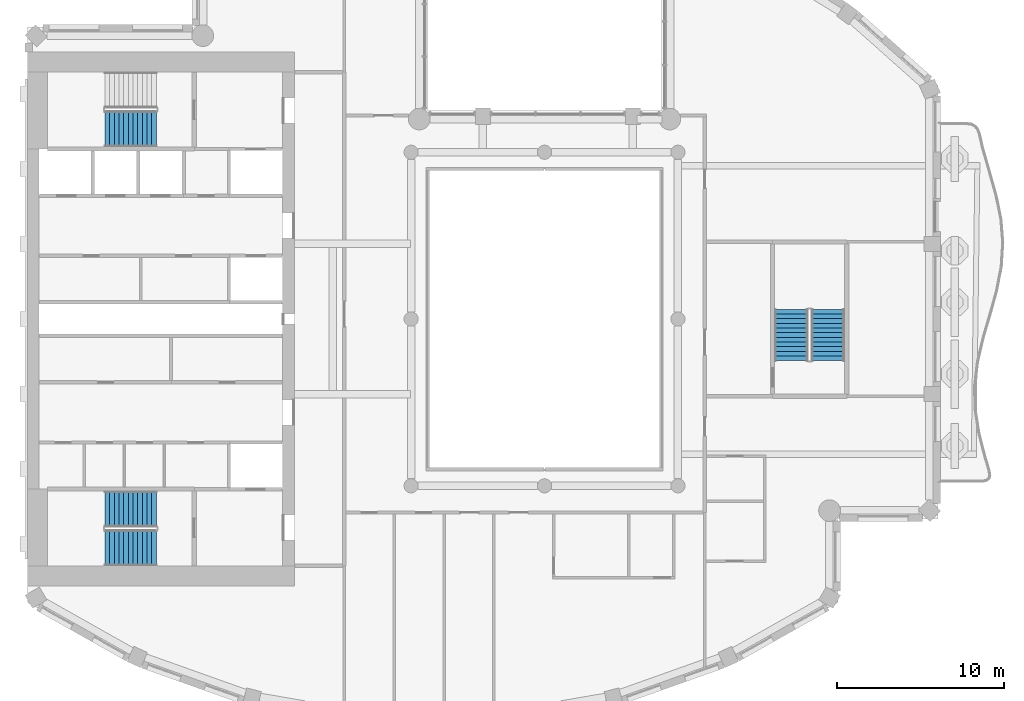
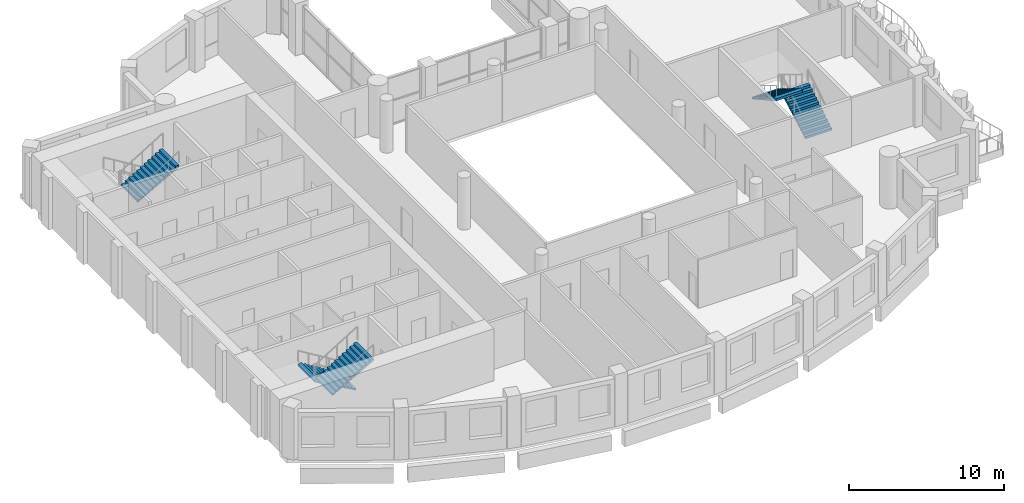
# One storey, part 8 of 14: 5 stair flights, 3 elements without a shape of their own.
"""IFC4 building model written with IfcOpenShell, lengths in metres."""

from ifc_helpers import new_model, si_unit, direction, frame, origin, place, context, subcontext, project, spatial, triangles, material, type_object, element, aggregate, save


model = new_model("IFC4")

# Units and contexts
model_context = context("Model", 3, precision=1e-05, world=origin(), true_north=direction((0.0, 1.0)))
body_context = subcontext(model_context, "Body", "Model", "MODEL_VIEW")
ifc_project = project(units=[si_unit("LENGTHUNIT", "METRE"), si_unit("AREAUNIT", "SQUARE_METRE"), si_unit("VOLUMEUNIT", "CUBIC_METRE"), si_unit("PLANEANGLEUNIT", "RADIAN"), si_unit("MASSUNIT", "GRAM", prefix="KILO")], contexts=[model_context])

# Site, building, storey
site_placement = place(None, origin())
site = spatial("IfcSite", under=ifc_project, at=site_placement, CompositionType="ELEMENT")
building_placement = place(site_placement, origin())
building = spatial("IfcBuilding", under=site, at=building_placement, Name="Cypress Arch Tower", CompositionType="ELEMENT")
storey_placement = place(building_placement, frame((0.0, 0.0, 251.60009765625)))
storey = spatial("IfcBuildingStorey", under=building, at=storey_placement, Name="L56", CompositionType="ELEMENT", Elevation=251.60009765625)

# Stair, stair flights
ifc_material_1 = material(Name="Concrete C40/50", Category="concrete")
stair_type_1 = type_object("IfcStairType", Name="Exit stair ES1708-200", PredefinedType="HALF_TURN_STAIR", material=ifc_material_1)
stair_1_placement = place(storey_placement, origin())
stair_1 = element("IfcStair", 1, at=stair_1_placement, inside=storey, type_object=stair_type_1, Name="L56 Exit stair C", PredefinedType="HALF_TURN_STAIR")
ifc_material_2 = material(Name="Concrete C40/50", Category="concrete")
stair_flight_type_1 = type_object("IfcStairFlightType", Name="Exit stair flight ES1708-200", PredefinedType="STRAIGHT", material=ifc_material_2)
stair_flight_1_placement = place(storey_placement, frame((18.0, -2.5, 0.0), z_axis=(0.0, 0.0, 1.0), x_axis=(0.0, 1.0, 0.0)))
stair_flight_1 = element("IfcStairFlight", 2, at=stair_flight_1_placement, type_object=stair_flight_type_1, Name="C flight 1", NumberOfRisers=12, NumberOfTreads=11, PredefinedType="STRAIGHT", RiserHeight=0.170833333, TreadLength=0.28, context=body_context, shape_type="Tessellation", body=[
    triangles([(0.0, -1.0, 0.0), (0.0, -1.0, 0.1708984375), (0.280029296875, -1.0, 0.1708984375), (0.280029296875, -1.0, 0.341552734375), (0.56005859375, -1.0, 0.341552734375), (0.56005859375, -1.0, 0.512451171875), (0.840087890625, -1.0, 0.512451171875), (0.840087890625, -1.0, 0.683349609375), (1.1201171875, -1.0, 0.683349609375), (1.1201171875, -1.0, 0.854248046875), (1.39990234375, -1.0, 0.854248046875), (1.39990234375, -1.0, 1.02490234375), (1.679931640625, -1.0, 1.02490234375), (1.679931640625, -1.0, 1.19580078125), (1.9599609375, -1.0, 1.19580078125), (1.9599609375, -1.0, 1.36669921875), (2.239990234375, -1.0, 1.36669921875), (2.239990234375, -1.0, 1.53759765625), (2.52001953125, -1.0, 1.53759765625), (2.52001953125, -1.0, 1.708251953125), (2.800048828125, -1.0, 1.708251953125), (2.800048828125, -1.0, 1.879150390625), (3.080078125, -1.0, 1.879150390625), (3.080078125, -1.0, 1.70361328125), (3.080078125, 1.0, 1.70361328125), (3.080078125, 1.0, 1.879150390625), (2.800048828125, 1.0, 1.879150390625), (2.800048828125, 1.0, 1.708251953125), (2.52001953125, 1.0, 1.708251953125), (2.52001953125, 1.0, 1.53759765625), (2.239990234375, 1.0, 1.53759765625), (2.239990234375, 1.0, 1.36669921875), (1.9599609375, 1.0, 1.36669921875), (1.9599609375, 1.0, 1.19580078125), (1.679931640625, 1.0, 1.19580078125), (1.679931640625, 1.0, 1.02490234375), (1.39990234375, 1.0, 1.02490234375), (1.39990234375, 1.0, 0.854248046875), (1.1201171875, 1.0, 0.854248046875), (1.1201171875, 1.0, 0.683349609375), (0.840087890625, 1.0, 0.683349609375), (0.840087890625, 1.0, 0.512451171875), (0.56005859375, 1.0, 0.512451171875), (0.56005859375, 1.0, 0.341552734375), (0.280029296875, 1.0, 0.341552734375), (0.280029296875, 1.0, 0.1708984375), (0.0, 1.0, 0.1708984375), (0.0, 1.0, 0.0), (3.080078125, 0.0, 1.879150390625), (3.080078125, 0.0, 1.70361328125), (2.800048828125, 0.0, 1.879150390625), (2.800048828125, 0.0, 1.708251953125), (2.52001953125, 0.0, 1.708251953125), (2.52001953125, 0.0, 1.53759765625), (2.239990234375, 0.0, 1.53759765625), (2.239990234375, 0.0, 1.36669921875), (1.9599609375, 0.0, 1.36669921875), (1.9599609375, 0.0, 1.19580078125), (1.679931640625, 0.0, 1.19580078125), (1.679931640625, 0.0, 1.02490234375), (1.39990234375, 0.0, 1.02490234375), (1.39990234375, 0.0, 0.854248046875), (1.1201171875, 0.0, 0.854248046875), (1.1201171875, 0.0, 0.683349609375), (0.840087890625, 0.0, 0.683349609375), (0.840087890625, 0.0, 0.512451171875), (0.56005859375, 0.0, 0.512451171875), (0.56005859375, 0.0, 0.341552734375), (0.280029296875, 0.0, 0.341552734375), (0.280029296875, 0.0, 0.1708984375), (0.0, 0.0, 0.1708984375), (0.0, 0.0, 0.0)], [[24, 23, 22], [11, 10, 9], [19, 18, 17], [17, 16, 15], [15, 14, 13], [9, 8, 7], [7, 6, 5], [3, 2, 1], [21, 20, 19], [13, 12, 11], [5, 4, 3], [24, 22, 21], [24, 21, 19], [24, 19, 17], [24, 17, 15], [24, 15, 13], [24, 13, 11], [24, 11, 9], [24, 9, 7], [24, 7, 5], [1, 24, 5], [5, 3, 1], [25, 27, 26], [38, 40, 39], [30, 32, 31], [32, 34, 33], [34, 36, 35], [40, 42, 41], [42, 44, 43], [46, 48, 47], [28, 30, 29], [36, 38, 37], [44, 46, 45], [25, 28, 27], [25, 30, 28], [25, 32, 30], [25, 34, 32], [25, 36, 34], [25, 38, 36], [25, 40, 38], [25, 42, 40], [25, 44, 42], [48, 44, 25], [44, 48, 46], [50, 49, 23], [50, 23, 24], [25, 26, 49], [25, 49, 50], [49, 51, 22], [49, 22, 23], [26, 27, 51], [26, 51, 49], [51, 52, 21], [51, 21, 22], [27, 28, 52], [27, 52, 51], [52, 53, 20], [52, 20, 21], [28, 29, 53], [28, 53, 52], [53, 54, 19], [53, 19, 20], [29, 30, 54], [29, 54, 53], [54, 55, 18], [54, 18, 19], [30, 31, 55], [30, 55, 54], [55, 56, 17], [55, 17, 18], [31, 32, 56], [31, 56, 55], [56, 57, 16], [56, 16, 17], [32, 33, 57], [32, 57, 56], [57, 58, 15], [57, 15, 16], [33, 34, 58], [33, 58, 57], [58, 59, 14], [58, 14, 15], [34, 35, 59], [34, 59, 58], [59, 60, 13], [59, 13, 14], [35, 36, 60], [35, 60, 59], [60, 61, 12], [60, 12, 13], [36, 37, 61], [36, 61, 60], [61, 62, 11], [61, 11, 12], [37, 38, 62], [37, 62, 61], [62, 63, 10], [62, 10, 11], [38, 39, 63], [38, 63, 62], [63, 64, 9], [63, 9, 10], [39, 40, 64], [39, 64, 63], [64, 65, 8], [64, 8, 9], [40, 41, 65], [40, 65, 64], [65, 66, 7], [65, 7, 8], [41, 42, 66], [41, 66, 65], [66, 67, 6], [66, 6, 7], [42, 43, 67], [42, 67, 66], [67, 68, 5], [67, 5, 6], [43, 44, 68], [43, 68, 67], [68, 69, 4], [68, 4, 5], [44, 45, 69], [44, 69, 68], [69, 70, 3], [69, 3, 4], [45, 46, 70], [45, 70, 69], [70, 71, 2], [70, 2, 3], [46, 47, 71], [46, 71, 70], [71, 72, 1], [71, 1, 2], [47, 48, 72], [47, 72, 71], [72, 50, 24], [72, 24, 1], [48, 25, 50], [48, 50, 72]], closed=True),
])
stair_flight_2_placement = place(storey_placement, frame((15.800048828125, 0.580078125, 2.0498046875), z_axis=(0.0, 0.0, 1.0), x_axis=(0.0, -1.0, 0.0)))
stair_flight_2 = element("IfcStairFlight", 3, at=stair_flight_2_placement, type_object=stair_flight_type_1, Name="C flight 2", NumberOfRisers=12, NumberOfTreads=11, PredefinedType="STRAIGHT", RiserHeight=0.170833333, TreadLength=0.28, context=body_context, shape_type="Tessellation", body=[
    triangles([(0.0, -1.0, 0.0), (0.0, -1.0, 0.1708984375), (0.280029296875, -1.0, 0.1708984375), (0.280029296875, -1.0, 0.341552734375), (0.56005859375, -1.0, 0.341552734375), (0.56005859375, -1.0, 0.512451171875), (0.840087890625, -1.0, 0.512451171875), (0.840087890625, -1.0, 0.683349609375), (1.1201171875, -1.0, 0.683349609375), (1.1201171875, -1.0, 0.854248046875), (1.39990234375, -1.0, 0.854248046875), (1.39990234375, -1.0, 1.02490234375), (1.679931640625, -1.0, 1.02490234375), (1.679931640625, -1.0, 1.19580078125), (1.9599609375, -1.0, 1.19580078125), (1.9599609375, -1.0, 1.36669921875), (2.239990234375, -1.0, 1.36669921875), (2.239990234375, -1.0, 1.53759765625), (2.52001953125, -1.0, 1.53759765625), (2.52001953125, -1.0, 1.708251953125), (2.800048828125, -1.0, 1.708251953125), (2.800048828125, -1.0, 1.879150390625), (3.080078125, -1.0, 1.879150390625), (3.080078125, -1.0, 1.70361328125), (3.080078125, 1.0, 1.70361328125), (3.080078125, 1.0, 1.879150390625), (2.800048828125, 1.0, 1.879150390625), (2.800048828125, 1.0, 1.708251953125), (2.52001953125, 1.0, 1.708251953125), (2.52001953125, 1.0, 1.53759765625), (2.239990234375, 1.0, 1.53759765625), (2.239990234375, 1.0, 1.36669921875), (1.9599609375, 1.0, 1.36669921875), (1.9599609375, 1.0, 1.19580078125), (1.679931640625, 1.0, 1.19580078125), (1.679931640625, 1.0, 1.02490234375), (1.39990234375, 1.0, 1.02490234375), (1.39990234375, 1.0, 0.854248046875), (1.1201171875, 1.0, 0.854248046875), (1.1201171875, 1.0, 0.683349609375), (0.840087890625, 1.0, 0.683349609375), (0.840087890625, 1.0, 0.512451171875), (0.56005859375, 1.0, 0.512451171875), (0.56005859375, 1.0, 0.341552734375), (0.280029296875, 1.0, 0.341552734375), (0.280029296875, 1.0, 0.1708984375), (0.0, 1.0, 0.1708984375), (0.0, 1.0, 0.0), (3.080078125, 0.0, 1.879150390625), (3.080078125, 0.0, 1.70361328125), (2.800048828125, 0.0, 1.879150390625), (2.800048828125, 0.0, 1.708251953125), (2.52001953125, 0.0, 1.708251953125), (2.52001953125, 0.0, 1.53759765625), (2.239990234375, 0.0, 1.53759765625), (2.239990234375, 0.0, 1.36669921875), (1.9599609375, 0.0, 1.36669921875), (1.9599609375, 0.0, 1.19580078125), (1.679931640625, 0.0, 1.19580078125), (1.679931640625, 0.0, 1.02490234375), (1.39990234375, 0.0, 1.02490234375), (1.39990234375, 0.0, 0.854248046875), (1.1201171875, 0.0, 0.854248046875), (1.1201171875, 0.0, 0.683349609375), (0.840087890625, 0.0, 0.683349609375), (0.840087890625, 0.0, 0.512451171875), (0.56005859375, 0.0, 0.512451171875), (0.56005859375, 0.0, 0.341552734375), (0.280029296875, 0.0, 0.341552734375), (0.280029296875, 0.0, 0.1708984375), (0.0, 0.0, 0.1708984375), (0.0, 0.0, 0.0)], [[24, 23, 22], [11, 10, 9], [19, 18, 17], [17, 16, 15], [15, 14, 13], [9, 8, 7], [7, 6, 5], [3, 2, 1], [21, 20, 19], [13, 12, 11], [5, 4, 3], [24, 22, 21], [24, 21, 19], [24, 19, 17], [24, 17, 15], [24, 15, 13], [24, 13, 11], [24, 11, 9], [24, 9, 7], [24, 7, 5], [1, 24, 5], [5, 3, 1], [25, 27, 26], [38, 40, 39], [30, 32, 31], [32, 34, 33], [34, 36, 35], [40, 42, 41], [42, 44, 43], [46, 48, 47], [28, 30, 29], [36, 38, 37], [44, 46, 45], [25, 28, 27], [25, 30, 28], [25, 32, 30], [25, 34, 32], [25, 36, 34], [25, 38, 36], [25, 40, 38], [25, 42, 40], [25, 44, 42], [48, 44, 25], [44, 48, 46], [50, 49, 23], [50, 23, 24], [25, 26, 49], [25, 49, 50], [49, 51, 22], [49, 22, 23], [26, 27, 51], [26, 51, 49], [51, 52, 21], [51, 21, 22], [27, 28, 52], [27, 52, 51], [52, 53, 20], [52, 20, 21], [28, 29, 53], [28, 53, 52], [53, 54, 19], [53, 19, 20], [29, 30, 54], [29, 54, 53], [54, 55, 18], [54, 18, 19], [30, 31, 55], [30, 55, 54], [55, 56, 17], [55, 17, 18], [31, 32, 56], [31, 56, 55], [56, 57, 16], [56, 16, 17], [32, 33, 57], [32, 57, 56], [57, 58, 15], [57, 15, 16], [33, 34, 58], [33, 58, 57], [58, 59, 14], [58, 14, 15], [34, 35, 59], [34, 59, 58], [59, 60, 13], [59, 13, 14], [35, 36, 60], [35, 60, 59], [60, 61, 12], [60, 12, 13], [36, 37, 61], [36, 61, 60], [61, 62, 11], [61, 11, 12], [37, 38, 62], [37, 62, 61], [62, 63, 10], [62, 10, 11], [38, 39, 63], [38, 63, 62], [63, 64, 9], [63, 9, 10], [39, 40, 64], [39, 64, 63], [64, 65, 8], [64, 8, 9], [40, 41, 65], [40, 65, 64], [65, 66, 7], [65, 7, 8], [41, 42, 66], [41, 66, 65], [66, 67, 6], [66, 6, 7], [42, 43, 67], [42, 67, 66], [67, 68, 5], [67, 5, 6], [43, 44, 68], [43, 68, 67], [68, 69, 4], [68, 4, 5], [44, 45, 69], [44, 69, 68], [69, 70, 3], [69, 3, 4], [45, 46, 70], [45, 70, 69], [70, 71, 2], [70, 2, 3], [46, 47, 71], [46, 71, 70], [71, 72, 1], [71, 1, 2], [47, 48, 72], [47, 72, 71], [72, 50, 24], [72, 24, 1], [48, 25, 50], [48, 50, 72]], closed=True),
])
aggregate(stair_1, [stair_flight_1, stair_flight_2])

ifc_material_3 = material(Name="Concrete C40/50", Category="concrete")
stair_type_2 = type_object("IfcStairType", Name="Exit stair ES1708-215", PredefinedType="HALF_TURN_STAIR", material=ifc_material_3)
stair_2_placement = place(storey_placement, origin())
stair_2 = element("IfcStair", 4, at=stair_2_placement, inside=storey, type_object=stair_type_2, Name="L56 Exit stair A", PredefinedType="HALF_TURN_STAIR")
ifc_material_4 = material(Name="Concrete C40/50", Category="concrete")
stair_flight_type_2 = type_object("IfcStairFlightType", Name="Exit stair flight ES1708-215", PredefinedType="STRAIGHT", material=ifc_material_4)
stair_flight_3_placement = place(storey_placement, frame((-22.27490234375, -11.39990234375, 0.0), z_axis=(0.0, 0.0, 1.0), x_axis=(-1.0, 0.0, 0.0)))
stair_flight_3 = element("IfcStairFlight", 5, at=stair_flight_3_placement, type_object=stair_flight_type_2, Name="A flight 1", NumberOfRisers=12, NumberOfTreads=11, PredefinedType="STRAIGHT", RiserHeight=0.170833333, TreadLength=0.28, context=body_context, shape_type="Tessellation", body=[
    triangles([(0.0, -1.074951171875, 0.0), (0.000244140625, -1.074951171875, 0.01904296875), (0.000244140625, -1.074951171875, 0.0380859375), (0.00048828125, -1.074951171875, 0.056884765625), (0.00048828125, -1.074951171875, 0.075927734375), (0.00048828125, -1.074951171875, 0.094970703125), (0.00048828125, -1.074951171875, 0.114013671875), (0.000244140625, -1.074951171875, 0.1328125), (0.000244140625, -1.074951171875, 0.15185546875), (0.0, -1.074951171875, 0.1708984375), (0.280029296875, -1.074951171875, 0.1708984375), (0.280029296875, -1.074951171875, 0.341552734375), (0.56005859375, -1.074951171875, 0.341552734375), (0.56005859375, -1.074951171875, 0.512451171875), (0.840087890625, -1.074951171875, 0.512451171875), (0.840087890625, -1.074951171875, 0.683349609375), (1.1201171875, -1.074951171875, 0.683349609375), (1.1201171875, -1.074951171875, 0.854248046875), (1.39990234375, -1.074951171875, 0.854248046875), (1.39990234375, -1.074951171875, 1.02490234375), (1.679931640625, -1.074951171875, 1.02490234375), (1.679931640625, -1.074951171875, 1.19580078125), (1.9599609375, -1.074951171875, 1.19580078125), (1.9599609375, -1.074951171875, 1.36669921875), (2.239990234375, -1.074951171875, 1.36669921875), (2.239990234375, -1.074951171875, 1.53759765625), (2.52001953125, -1.074951171875, 1.53759765625), (2.52001953125, -1.074951171875, 1.708251953125), (2.800048828125, -1.074951171875, 1.708251953125), (2.800048828125, -1.074951171875, 1.879150390625), (3.080078125, -1.074951171875, 1.879150390625), (3.079833984375, -1.074951171875, 1.859619140625), (3.079833984375, -1.074951171875, 1.840087890625), (3.07958984375, -1.074951171875, 1.820556640625), (3.07958984375, -1.074951171875, 1.801025390625), (3.07958984375, -1.074951171875, 1.78173828125), (3.07958984375, -1.074951171875, 1.76220703125), (3.079833984375, -1.074951171875, 1.74267578125), (3.079833984375, -1.074951171875, 1.72314453125), (3.080078125, -1.074951171875, 1.70361328125), (3.080078125, 1.074951171875, 1.70361328125), (3.079833984375, 1.074951171875, 1.72314453125), (3.079833984375, 1.074951171875, 1.74267578125), (3.07958984375, 1.074951171875, 1.76220703125), (3.07958984375, 1.074951171875, 1.78173828125), (3.07958984375, 1.074951171875, 1.801025390625), (3.07958984375, 1.074951171875, 1.820556640625), (3.079833984375, 1.074951171875, 1.840087890625), (3.079833984375, 1.074951171875, 1.859619140625), (3.080078125, 1.074951171875, 1.879150390625), (2.800048828125, 1.074951171875, 1.879150390625), (2.800048828125, 1.074951171875, 1.708251953125), (2.52001953125, 1.074951171875, 1.708251953125), (2.52001953125, 1.074951171875, 1.53759765625), (2.239990234375, 1.074951171875, 1.53759765625), (2.239990234375, 1.074951171875, 1.36669921875), (1.9599609375, 1.074951171875, 1.36669921875), (1.9599609375, 1.074951171875, 1.19580078125), (1.679931640625, 1.074951171875, 1.19580078125), (1.679931640625, 1.074951171875, 1.02490234375), (1.39990234375, 1.074951171875, 1.02490234375), (1.39990234375, 1.074951171875, 0.854248046875), (1.1201171875, 1.074951171875, 0.854248046875), (1.1201171875, 1.074951171875, 0.683349609375), (0.840087890625, 1.074951171875, 0.683349609375), (0.840087890625, 1.074951171875, 0.512451171875), (0.56005859375, 1.074951171875, 0.512451171875), (0.56005859375, 1.074951171875, 0.341552734375), (0.280029296875, 1.074951171875, 0.341552734375), (0.280029296875, 1.074951171875, 0.1708984375), (0.0, 1.074951171875, 0.1708984375), (0.000244140625, 1.074951171875, 0.15185546875), (0.000244140625, 1.074951171875, 0.1328125), (0.00048828125, 1.074951171875, 0.114013671875), (0.00048828125, 1.074951171875, 0.094970703125), (0.00048828125, 1.074951171875, 0.075927734375), (0.00048828125, 1.074951171875, 0.056884765625), (0.000244140625, 1.074951171875, 0.0380859375), (0.000244140625, 1.074951171875, 0.01904296875), (0.0, 1.074951171875, 0.0)], [[40, 39, 30], [39, 38, 30], [38, 37, 30], [37, 36, 30], [36, 35, 30], [35, 34, 30], [34, 33, 30], [33, 32, 30], [32, 31, 30], [19, 18, 17], [27, 26, 25], [25, 24, 23], [23, 22, 21], [17, 16, 15], [15, 14, 13], [10, 9, 11], [9, 8, 11], [8, 7, 11], [7, 6, 11], [6, 5, 11], [5, 4, 11], [4, 3, 11], [3, 2, 11], [2, 1, 11], [29, 28, 27], [21, 20, 19], [13, 12, 11], [40, 30, 29], [40, 29, 27], [40, 27, 25], [40, 25, 23], [40, 23, 21], [40, 21, 19], [40, 19, 17], [40, 17, 15], [40, 15, 13], [1, 40, 13], [13, 11, 1], [41, 51, 42], [42, 51, 43], [43, 51, 44], [44, 51, 45], [45, 51, 46], [46, 51, 47], [47, 51, 48], [48, 51, 49], [49, 51, 50], [62, 64, 63], [54, 56, 55], [56, 58, 57], [58, 60, 59], [64, 66, 65], [66, 68, 67], [71, 70, 72], [72, 70, 73], [73, 70, 74], [74, 70, 75], [75, 70, 76], [76, 70, 77], [77, 70, 78], [78, 70, 79], [79, 70, 80], [52, 54, 53], [60, 62, 61], [68, 70, 69], [41, 52, 51], [41, 54, 52], [41, 56, 54], [41, 58, 56], [41, 60, 58], [41, 62, 60], [41, 64, 62], [41, 66, 64], [41, 68, 66], [80, 68, 41], [68, 80, 70], [41, 42, 39], [41, 39, 40], [42, 43, 38], [42, 38, 39], [43, 44, 37], [43, 37, 38], [44, 45, 36], [44, 36, 37], [45, 46, 35], [45, 35, 36], [46, 47, 34], [46, 34, 35], [47, 48, 33], [47, 33, 34], [48, 49, 32], [48, 32, 33], [49, 50, 31], [49, 31, 32], [50, 51, 30], [50, 30, 31], [51, 52, 29], [51, 29, 30], [52, 53, 28], [52, 28, 29], [53, 54, 27], [53, 27, 28], [54, 55, 26], [54, 26, 27], [55, 56, 25], [55, 25, 26], [56, 57, 24], [56, 24, 25], [57, 58, 23], [57, 23, 24], [58, 59, 22], [58, 22, 23], [59, 60, 21], [59, 21, 22], [60, 61, 20], [60, 20, 21], [61, 62, 19], [61, 19, 20], [62, 63, 18], [62, 18, 19], [63, 64, 17], [63, 17, 18], [64, 65, 16], [64, 16, 17], [65, 66, 15], [65, 15, 16], [66, 67, 14], [66, 14, 15], [67, 68, 13], [67, 13, 14], [68, 69, 12], [68, 12, 13], [69, 70, 11], [69, 11, 12], [70, 71, 10], [70, 10, 11], [71, 72, 9], [71, 9, 10], [72, 73, 8], [72, 8, 9], [73, 74, 7], [73, 7, 8], [74, 75, 6], [74, 6, 7], [75, 76, 5], [75, 5, 6], [76, 77, 4], [76, 4, 5], [77, 78, 3], [77, 3, 4], [78, 79, 2], [78, 2, 3], [79, 80, 1], [79, 1, 2], [80, 41, 40], [80, 40, 1]], closed=True),
])
stair_flight_4_placement = place(storey_placement, frame((-25.35498046875, -13.72509765625, 2.0498046875), z_axis=(0.0, 0.0, 1.0), x_axis=(1.0, 0.0, 0.0)))
stair_flight_4 = element("IfcStairFlight", 6, at=stair_flight_4_placement, type_object=stair_flight_type_2, Name="A flight 2", NumberOfRisers=12, NumberOfTreads=11, PredefinedType="STRAIGHT", RiserHeight=0.170833333, TreadLength=0.28, context=body_context, shape_type="Tessellation", body=[
    triangles([(0.0, -1.074951171875, 0.0), (0.000244140625, -1.074951171875, 0.01904296875), (0.000244140625, -1.074951171875, 0.0380859375), (0.00048828125, -1.074951171875, 0.056884765625), (0.00048828125, -1.074951171875, 0.075927734375), (0.00048828125, -1.074951171875, 0.094970703125), (0.00048828125, -1.074951171875, 0.114013671875), (0.000244140625, -1.074951171875, 0.1328125), (0.000244140625, -1.074951171875, 0.15185546875), (0.0, -1.074951171875, 0.1708984375), (0.280029296875, -1.074951171875, 0.1708984375), (0.280029296875, -1.074951171875, 0.341552734375), (0.56005859375, -1.074951171875, 0.341552734375), (0.56005859375, -1.074951171875, 0.512451171875), (0.840087890625, -1.074951171875, 0.512451171875), (0.840087890625, -1.074951171875, 0.683349609375), (1.1201171875, -1.074951171875, 0.683349609375), (1.1201171875, -1.074951171875, 0.854248046875), (1.39990234375, -1.074951171875, 0.854248046875), (1.39990234375, -1.074951171875, 1.02490234375), (1.679931640625, -1.074951171875, 1.02490234375), (1.679931640625, -1.074951171875, 1.19580078125), (1.9599609375, -1.074951171875, 1.19580078125), (1.9599609375, -1.074951171875, 1.36669921875), (2.239990234375, -1.074951171875, 1.36669921875), (2.239990234375, -1.074951171875, 1.53759765625), (2.52001953125, -1.074951171875, 1.53759765625), (2.52001953125, -1.074951171875, 1.708251953125), (2.800048828125, -1.074951171875, 1.708251953125), (2.800048828125, -1.074951171875, 1.879150390625), (3.080078125, -1.074951171875, 1.879150390625), (3.079833984375, -1.074951171875, 1.859619140625), (3.079833984375, -1.074951171875, 1.840087890625), (3.07958984375, -1.074951171875, 1.820556640625), (3.07958984375, -1.074951171875, 1.801025390625), (3.07958984375, -1.074951171875, 1.78173828125), (3.07958984375, -1.074951171875, 1.76220703125), (3.079833984375, -1.074951171875, 1.74267578125), (3.079833984375, -1.074951171875, 1.72314453125), (3.080078125, -1.074951171875, 1.70361328125), (3.080078125, 1.074951171875, 1.70361328125), (3.079833984375, 1.074951171875, 1.72314453125), (3.079833984375, 1.074951171875, 1.74267578125), (3.07958984375, 1.074951171875, 1.76220703125), (3.07958984375, 1.074951171875, 1.78173828125), (3.07958984375, 1.074951171875, 1.801025390625), (3.07958984375, 1.074951171875, 1.820556640625), (3.079833984375, 1.074951171875, 1.840087890625), (3.079833984375, 1.074951171875, 1.859619140625), (3.080078125, 1.074951171875, 1.879150390625), (2.800048828125, 1.074951171875, 1.879150390625), (2.800048828125, 1.074951171875, 1.708251953125), (2.52001953125, 1.074951171875, 1.708251953125), (2.52001953125, 1.074951171875, 1.53759765625), (2.239990234375, 1.074951171875, 1.53759765625), (2.239990234375, 1.074951171875, 1.36669921875), (1.9599609375, 1.074951171875, 1.36669921875), (1.9599609375, 1.074951171875, 1.19580078125), (1.679931640625, 1.074951171875, 1.19580078125), (1.679931640625, 1.074951171875, 1.02490234375), (1.39990234375, 1.074951171875, 1.02490234375), (1.39990234375, 1.074951171875, 0.854248046875), (1.1201171875, 1.074951171875, 0.854248046875), (1.1201171875, 1.074951171875, 0.683349609375), (0.840087890625, 1.074951171875, 0.683349609375), (0.840087890625, 1.074951171875, 0.512451171875), (0.56005859375, 1.074951171875, 0.512451171875), (0.56005859375, 1.074951171875, 0.341552734375), (0.280029296875, 1.074951171875, 0.341552734375), (0.280029296875, 1.074951171875, 0.1708984375), (0.0, 1.074951171875, 0.1708984375), (0.000244140625, 1.074951171875, 0.15185546875), (0.000244140625, 1.074951171875, 0.1328125), (0.00048828125, 1.074951171875, 0.114013671875), (0.00048828125, 1.074951171875, 0.094970703125), (0.00048828125, 1.074951171875, 0.075927734375), (0.00048828125, 1.074951171875, 0.056884765625), (0.000244140625, 1.074951171875, 0.0380859375), (0.000244140625, 1.074951171875, 0.01904296875), (0.0, 1.074951171875, 0.0)], [[40, 39, 30], [39, 38, 30], [38, 37, 30], [37, 36, 30], [36, 35, 30], [35, 34, 30], [34, 33, 30], [33, 32, 30], [32, 31, 30], [19, 18, 17], [27, 26, 25], [25, 24, 23], [23, 22, 21], [17, 16, 15], [15, 14, 13], [10, 9, 11], [9, 8, 11], [8, 7, 11], [7, 6, 11], [6, 5, 11], [5, 4, 11], [4, 3, 11], [3, 2, 11], [2, 1, 11], [29, 28, 27], [21, 20, 19], [13, 12, 11], [40, 30, 29], [40, 29, 27], [40, 27, 25], [40, 25, 23], [40, 23, 21], [40, 21, 19], [40, 19, 17], [40, 17, 15], [40, 15, 13], [1, 40, 13], [13, 11, 1], [41, 51, 42], [42, 51, 43], [43, 51, 44], [44, 51, 45], [45, 51, 46], [46, 51, 47], [47, 51, 48], [48, 51, 49], [49, 51, 50], [62, 64, 63], [54, 56, 55], [56, 58, 57], [58, 60, 59], [64, 66, 65], [66, 68, 67], [71, 70, 72], [72, 70, 73], [73, 70, 74], [74, 70, 75], [75, 70, 76], [76, 70, 77], [77, 70, 78], [78, 70, 79], [79, 70, 80], [52, 54, 53], [60, 62, 61], [68, 70, 69], [41, 52, 51], [41, 54, 52], [41, 56, 54], [41, 58, 56], [41, 60, 58], [41, 62, 60], [41, 64, 62], [41, 66, 64], [41, 68, 66], [80, 68, 41], [68, 80, 70], [41, 42, 39], [41, 39, 40], [42, 43, 38], [42, 38, 39], [43, 44, 37], [43, 37, 38], [44, 45, 36], [44, 36, 37], [45, 46, 35], [45, 35, 36], [46, 47, 34], [46, 34, 35], [47, 48, 33], [47, 33, 34], [48, 49, 32], [48, 32, 33], [49, 50, 31], [49, 31, 32], [50, 51, 30], [50, 30, 31], [51, 52, 29], [51, 29, 30], [52, 53, 28], [52, 28, 29], [53, 54, 27], [53, 27, 28], [54, 55, 26], [54, 26, 27], [55, 56, 25], [55, 25, 26], [56, 57, 24], [56, 24, 25], [57, 58, 23], [57, 23, 24], [58, 59, 22], [58, 22, 23], [59, 60, 21], [59, 21, 22], [60, 61, 20], [60, 20, 21], [61, 62, 19], [61, 19, 20], [62, 63, 18], [62, 18, 19], [63, 64, 17], [63, 17, 18], [64, 65, 16], [64, 16, 17], [65, 66, 15], [65, 15, 16], [66, 67, 14], [66, 14, 15], [67, 68, 13], [67, 13, 14], [68, 69, 12], [68, 12, 13], [69, 70, 11], [69, 11, 12], [70, 71, 10], [70, 10, 11], [71, 72, 9], [71, 9, 10], [72, 73, 8], [72, 8, 9], [73, 74, 7], [73, 7, 8], [74, 75, 6], [74, 6, 7], [75, 76, 5], [75, 5, 6], [76, 77, 4], [76, 4, 5], [77, 78, 3], [77, 3, 4], [78, 79, 2], [78, 2, 3], [79, 80, 1], [79, 1, 2], [80, 41, 40], [80, 40, 1]], closed=True),
])
aggregate(stair_2, [stair_flight_3, stair_flight_4])

# Stair, stair flight
stair_3_placement = place(storey_placement, origin())
stair_3 = element("IfcStair", 7, at=stair_3_placement, inside=storey, type_object=stair_type_2, Name="L56 Exit stair B", PredefinedType="HALF_TURN_STAIR")
stair_flight_5_placement = place(storey_placement, frame((-25.35498046875, 11.39990234375, 2.0498046875), z_axis=(0.0, 0.0, 1.0), x_axis=(1.0, 0.0, 0.0)))
stair_flight_5 = element("IfcStairFlight", 8, at=stair_flight_5_placement, type_object=stair_flight_type_2, Name="B flight 2", NumberOfRisers=12, NumberOfTreads=11, PredefinedType="STRAIGHT", RiserHeight=0.170833333, TreadLength=0.28, context=body_context, shape_type="Tessellation", body=[
    triangles([(0.0, -1.074951171875, 0.0), (0.000244140625, -1.074951171875, 0.01904296875), (0.000244140625, -1.074951171875, 0.0380859375), (0.00048828125, -1.074951171875, 0.056884765625), (0.00048828125, -1.074951171875, 0.075927734375), (0.00048828125, -1.074951171875, 0.094970703125), (0.00048828125, -1.074951171875, 0.114013671875), (0.000244140625, -1.074951171875, 0.1328125), (0.000244140625, -1.074951171875, 0.15185546875), (0.0, -1.074951171875, 0.1708984375), (0.280029296875, -1.074951171875, 0.1708984375), (0.280029296875, -1.074951171875, 0.341552734375), (0.56005859375, -1.074951171875, 0.341552734375), (0.56005859375, -1.074951171875, 0.512451171875), (0.840087890625, -1.074951171875, 0.512451171875), (0.840087890625, -1.074951171875, 0.683349609375), (1.1201171875, -1.074951171875, 0.683349609375), (1.1201171875, -1.074951171875, 0.854248046875), (1.39990234375, -1.074951171875, 0.854248046875), (1.39990234375, -1.074951171875, 1.02490234375), (1.679931640625, -1.074951171875, 1.02490234375), (1.679931640625, -1.074951171875, 1.19580078125), (1.9599609375, -1.074951171875, 1.19580078125), (1.9599609375, -1.074951171875, 1.36669921875), (2.239990234375, -1.074951171875, 1.36669921875), (2.239990234375, -1.074951171875, 1.53759765625), (2.52001953125, -1.074951171875, 1.53759765625), (2.52001953125, -1.074951171875, 1.708251953125), (2.800048828125, -1.074951171875, 1.708251953125), (2.800048828125, -1.074951171875, 1.879150390625), (3.080078125, -1.074951171875, 1.879150390625), (3.079833984375, -1.074951171875, 1.859619140625), (3.079833984375, -1.074951171875, 1.840087890625), (3.07958984375, -1.074951171875, 1.820556640625), (3.07958984375, -1.074951171875, 1.801025390625), (3.07958984375, -1.074951171875, 1.78173828125), (3.07958984375, -1.074951171875, 1.76220703125), (3.079833984375, -1.074951171875, 1.74267578125), (3.079833984375, -1.074951171875, 1.72314453125), (3.080078125, -1.074951171875, 1.70361328125), (3.080078125, 1.074951171875, 1.70361328125), (3.079833984375, 1.074951171875, 1.72314453125), (3.079833984375, 1.074951171875, 1.74267578125), (3.07958984375, 1.074951171875, 1.76220703125), (3.07958984375, 1.074951171875, 1.78173828125), (3.07958984375, 1.074951171875, 1.801025390625), (3.07958984375, 1.074951171875, 1.820556640625), (3.079833984375, 1.074951171875, 1.840087890625), (3.079833984375, 1.074951171875, 1.859619140625), (3.080078125, 1.074951171875, 1.879150390625), (2.800048828125, 1.074951171875, 1.879150390625), (2.800048828125, 1.074951171875, 1.708251953125), (2.52001953125, 1.074951171875, 1.708251953125), (2.52001953125, 1.074951171875, 1.53759765625), (2.239990234375, 1.074951171875, 1.53759765625), (2.239990234375, 1.074951171875, 1.36669921875), (1.9599609375, 1.074951171875, 1.36669921875), (1.9599609375, 1.074951171875, 1.19580078125), (1.679931640625, 1.074951171875, 1.19580078125), (1.679931640625, 1.074951171875, 1.02490234375), (1.39990234375, 1.074951171875, 1.02490234375), (1.39990234375, 1.074951171875, 0.854248046875), (1.1201171875, 1.074951171875, 0.854248046875), (1.1201171875, 1.074951171875, 0.683349609375), (0.840087890625, 1.074951171875, 0.683349609375), (0.840087890625, 1.074951171875, 0.512451171875), (0.56005859375, 1.074951171875, 0.512451171875), (0.56005859375, 1.074951171875, 0.341552734375), (0.280029296875, 1.074951171875, 0.341552734375), (0.280029296875, 1.074951171875, 0.1708984375), (0.0, 1.074951171875, 0.1708984375), (0.000244140625, 1.074951171875, 0.15185546875), (0.000244140625, 1.074951171875, 0.1328125), (0.00048828125, 1.074951171875, 0.114013671875), (0.00048828125, 1.074951171875, 0.094970703125), (0.00048828125, 1.074951171875, 0.075927734375), (0.00048828125, 1.074951171875, 0.056884765625), (0.000244140625, 1.074951171875, 0.0380859375), (0.000244140625, 1.074951171875, 0.01904296875), (0.0, 1.074951171875, 0.0)], [[40, 39, 30], [39, 38, 30], [38, 37, 30], [37, 36, 30], [36, 35, 30], [35, 34, 30], [34, 33, 30], [33, 32, 30], [32, 31, 30], [19, 18, 17], [27, 26, 25], [25, 24, 23], [23, 22, 21], [17, 16, 15], [15, 14, 13], [10, 9, 11], [9, 8, 11], [8, 7, 11], [7, 6, 11], [6, 5, 11], [5, 4, 11], [4, 3, 11], [3, 2, 11], [2, 1, 11], [29, 28, 27], [21, 20, 19], [13, 12, 11], [40, 30, 29], [40, 29, 27], [40, 27, 25], [40, 25, 23], [40, 23, 21], [40, 21, 19], [40, 19, 17], [40, 17, 15], [40, 15, 13], [1, 40, 13], [13, 11, 1], [41, 51, 42], [42, 51, 43], [43, 51, 44], [44, 51, 45], [45, 51, 46], [46, 51, 47], [47, 51, 48], [48, 51, 49], [49, 51, 50], [62, 64, 63], [54, 56, 55], [56, 58, 57], [58, 60, 59], [64, 66, 65], [66, 68, 67], [71, 70, 72], [72, 70, 73], [73, 70, 74], [74, 70, 75], [75, 70, 76], [76, 70, 77], [77, 70, 78], [78, 70, 79], [79, 70, 80], [52, 54, 53], [60, 62, 61], [68, 70, 69], [41, 52, 51], [41, 54, 52], [41, 56, 54], [41, 58, 56], [41, 60, 58], [41, 62, 60], [41, 64, 62], [41, 66, 64], [41, 68, 66], [80, 68, 41], [68, 80, 70], [41, 42, 39], [41, 39, 40], [42, 43, 38], [42, 38, 39], [43, 44, 37], [43, 37, 38], [44, 45, 36], [44, 36, 37], [45, 46, 35], [45, 35, 36], [46, 47, 34], [46, 34, 35], [47, 48, 33], [47, 33, 34], [48, 49, 32], [48, 32, 33], [49, 50, 31], [49, 31, 32], [50, 51, 30], [50, 30, 31], [51, 52, 29], [51, 29, 30], [52, 53, 28], [52, 28, 29], [53, 54, 27], [53, 27, 28], [54, 55, 26], [54, 26, 27], [55, 56, 25], [55, 25, 26], [56, 57, 24], [56, 24, 25], [57, 58, 23], [57, 23, 24], [58, 59, 22], [58, 22, 23], [59, 60, 21], [59, 21, 22], [60, 61, 20], [60, 20, 21], [61, 62, 19], [61, 19, 20], [62, 63, 18], [62, 18, 19], [63, 64, 17], [63, 17, 18], [64, 65, 16], [64, 16, 17], [65, 66, 15], [65, 15, 16], [66, 67, 14], [66, 14, 15], [67, 68, 13], [67, 13, 14], [68, 69, 12], [68, 12, 13], [69, 70, 11], [69, 11, 12], [70, 71, 10], [70, 10, 11], [71, 72, 9], [71, 9, 10], [72, 73, 8], [72, 8, 9], [73, 74, 7], [73, 7, 8], [74, 75, 6], [74, 6, 7], [75, 76, 5], [75, 5, 6], [76, 77, 4], [76, 4, 5], [77, 78, 3], [77, 3, 4], [78, 79, 2], [78, 2, 3], [79, 80, 1], [79, 1, 2], [80, 41, 40], [80, 40, 1]], closed=True),
])
aggregate(stair_3, [stair_flight_5])

save(model, "model.ifc")
